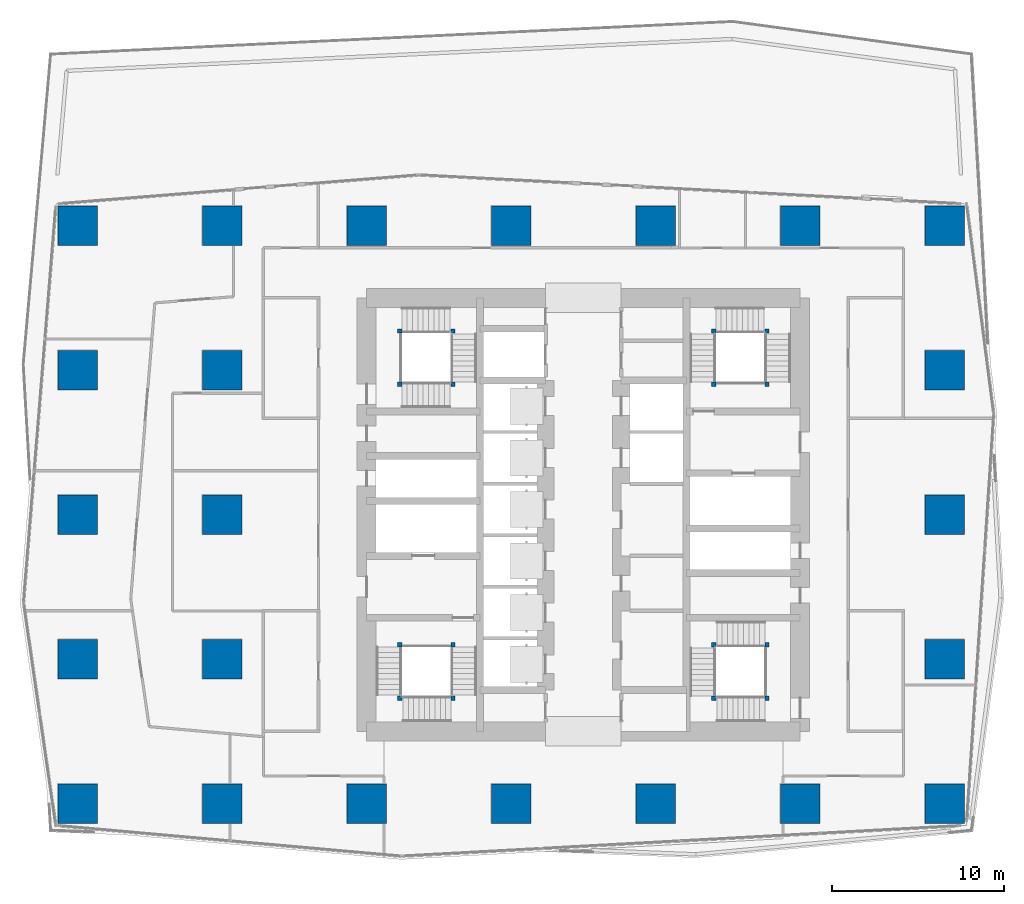
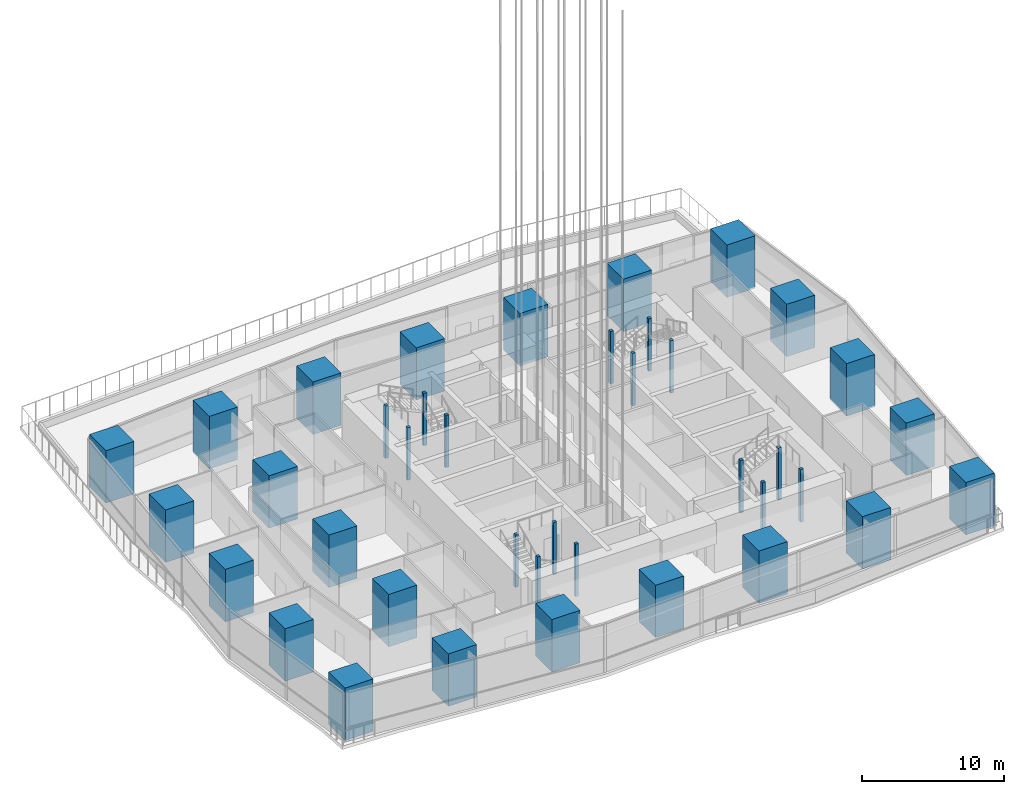
# One storey, part 1 of 39: 39 columns.
"""IFC4 building model written with IfcOpenShell, lengths in metres."""

from ifc_helpers import new_model, si_unit, direction, frame, origin, origin_2d, place, context, subcontext, project, spatial, rectangle, extrude, material, material_profile, profile_set, type_object, element, save


model = new_model("IFC4")

# Units and contexts
model_context = context("Model", 3, precision=1e-05, world=origin(), true_north=direction((0.0, 1.0)))
body_context = subcontext(model_context, "Body", "Model", "MODEL_VIEW")
ifc_project = project(units=[si_unit("LENGTHUNIT", "METRE"), si_unit("AREAUNIT", "SQUARE_METRE"), si_unit("VOLUMEUNIT", "CUBIC_METRE"), si_unit("PLANEANGLEUNIT", "RADIAN"), si_unit("MASSUNIT", "GRAM", prefix="KILO")], contexts=[model_context])

# Site, building, storey
site_placement = place(None, origin())
site = spatial("IfcSite", under=ifc_project, at=site_placement, CompositionType="ELEMENT")
building_placement = place(site_placement, origin())
building = spatial("IfcBuilding", under=site, at=building_placement, Name="Rekha Terrace Tower", CompositionType="ELEMENT")
storey_placement = place(building_placement, frame((0.0, 0.0, 245.60009765625)))
storey = spatial("IfcBuildingStorey", under=building, at=storey_placement, Name="L62", CompositionType="ELEMENT", Elevation=245.60009765625)

# Columns
ifc_material_1 = material(Name="Concrete M70", Category="concrete")
ifc_material_profile_1 = material_profile(ifc_material_1, rectangle(XDim=2.300048828125, YDim=2.300048828125, at=origin_2d()), Name="RC 2300x2300")
ifc_profile_set_1 = profile_set([ifc_material_profile_1], Name="Concrete M70")
column_type_1 = type_object("IfcColumnType", Name="C5T 2300x2300 column", PredefinedType="COLUMN", material=ifc_profile_set_1)
for number, where, z_axis, x_axis, name in (
    (1, (8.39990234375, 16.800048828125, 0.0), (0.0, 0.0, 1.0), (1.0, 0.0, 0.0), "Column C5T 2/C L62"),
    (2, (8.39990234375, 25.199951171875, 0.0), (0.0, 0.0, 1.0), (1.0, 0.0, 0.0), "Column C5T 2/D L62"),
    (3, (8.39990234375, 33.60009765625, 0.0), (0.0, 0.0, 1.0), (1.0, 0.0, 0.0), "Column C5T 2/E L62"),
    (4, (8.39990234375, 42.0, 0.0), (0.0, 0.0, 1.0), (1.0, 0.0, 0.0), "Column C5T 2/F L62"),
    (5, (8.39990234375, 50.39990234375, 0.0), (0.0, 0.0, 1.0), (1.0, 0.0, 0.0), "Column C5T 2/G L62"),
    (6, (16.800048828125, 16.800048828125, 0.0), (0.0, 0.0, 1.0), (1.0, 0.0, 0.0), "Column C5T 3/C L62"),
    (7, (16.800048828125, 25.199951171875, 0.0), (0.0, 0.0, 1.0), (1.0, 0.0, 0.0), "Column C5T 3/D L62"),
    (8, (16.800048828125, 33.60009765625, 0.0), (0.0, 0.0, 1.0), (1.0, 0.0, 0.0), "Column C5T 3/E L62"),
    (9, (16.800048828125, 42.0, 0.0), (0.0, 0.0, 1.0), (1.0, 0.0, 0.0), "Column C5T 3/F L62"),
    (10, (16.800048828125, 50.39990234375, 0.0), (0.0, 0.0, 1.0), (1.0, 0.0, 0.0), "Column C5T 3/G L62"),
    (11, (25.199951171875, 16.800048828125, 0.0), (0.0, 0.0, 1.0), (1.0, 0.0, 0.0), "Column C5T 4/C L62"),
    (12, (25.199951171875, 50.39990234375, 0.0), (0.0, 0.0, 1.0), (1.0, 0.0, 0.0), "Column C5T 4/G L62"),
    (13, (33.60009765625, 16.800048828125, 0.0), (0.0, 0.0, 1.0), (1.0, 0.0, 0.0), "Column C5T 5/C L62"),
    (14, (33.60009765625, 50.39990234375, 0.0), (0.0, 0.0, 1.0), (1.0, 0.0, 0.0), "Column C5T 5/G L62"),
    (15, (42.0, 16.800048828125, 0.0), (0.0, 0.0, 1.0), (1.0, 0.0, 0.0), "Column C5T 6/C L62"),
    (16, (42.0, 50.39990234375, 0.0), (0.0, 0.0, 1.0), (1.0, 0.0, 0.0), "Column C5T 6/G L62"),
    (17, (50.39990234375, 16.800048828125, 0.0), (0.0, 0.0, 1.0), (1.0, 0.0, 0.0), "Column C5T 7/C L62"),
    (18, (50.39990234375, 50.39990234375, 0.0), (0.0, 0.0, 1.0), (1.0, 0.0, 0.0), "Column C5T 7/G L62"),
    (19, (58.800048828125, 16.800048828125, 0.0), (0.0, 0.0, 1.0), (1.0, 0.0, 0.0), "Column C5T 8/C L62"),
    (20, (58.800048828125, 25.199951171875, 0.0), (0.0, 0.0, 1.0), (1.0, 0.0, 0.0), "Column C5T 8/D L62"),
    (21, (58.800048828125, 33.60009765625, 0.0), (0.0, 0.0, 1.0), (1.0, 0.0, 0.0), "Column C5T 8/E L62"),
    (22, (58.800048828125, 42.0, 0.0), (0.0, 0.0, 1.0), (1.0, 0.0, 0.0), "Column C5T 8/F L62"),
    (23, (58.800048828125, 50.39990234375, 0.0), (0.0, 0.0, 1.0), (1.0, 0.0, 0.0), "Column C5T 8/G L62"),
):
    element("IfcColumn", number, at=place(storey_placement, frame(where, z_axis=z_axis, x_axis=x_axis)), inside=storey, type_object=column_type_1, Name=name, PredefinedType="COLUMN", context=body_context, shape_type="SweptSolid", body=[
        extrude(rectangle(XDim=2.300048828125, YDim=2.300048828125, at=origin_2d()), origin(), (0.0, 0.0, 1.0), 4.5),
    ])
ifc_material_2 = material(Name="Concrete M60", Category="concrete")
ifc_material_profile_2 = material_profile(ifc_material_2, rectangle(XDim=0.25, YDim=0.25, at=origin_2d()), Name="RC 250x250")
ifc_profile_set_2 = profile_set([ifc_material_profile_2], Name="Concrete M60")
column_type_2 = type_object("IfcColumnType", Name="NP1 250x250 stair newel post", PredefinedType="COLUMN", material=ifc_profile_set_2)
for number, where, z_axis, x_axis, name in (
    (24, (30.22509765625, 26.02490234375, 0.0), (0.0, 0.0, 1.0), (1.0, 0.0, 0.0), "Stair newel post NP1"),
    (25, (30.22509765625, 22.925048828125, 0.0), (0.0, 0.0, 1.0), (1.0, 0.0, 0.0), "Stair newel post NP1"),
    (26, (27.125, 22.925048828125, 0.0), (0.0, 0.0, 1.0), (1.0, 0.0, 0.0), "Stair newel post NP1"),
    (27, (27.125, 26.02490234375, 0.0), (0.0, 0.0, 1.0), (1.0, 0.0, 0.0), "Stair newel post NP1"),
    (28, (45.375, 41.175048828125, 0.0), (0.0, 0.0, 1.0), (1.0, 0.0, 0.0), "Stair newel post NP1"),
    (29, (45.375, 44.27490234375, 0.0), (0.0, 0.0, 1.0), (1.0, 0.0, 0.0), "Stair newel post NP1"),
    (30, (48.47509765625, 44.27490234375, 0.0), (0.0, 0.0, 1.0), (1.0, 0.0, 0.0), "Stair newel post NP1"),
    (31, (48.47509765625, 41.175048828125, 0.0), (0.0, 0.0, 1.0), (1.0, 0.0, 0.0), "Stair newel post NP1"),
    (32, (48.47509765625, 22.925048828125, 0.0), (0.0, 0.0, 1.0), (1.0, 0.0, 0.0), "Stair newel post NP1"),
    (33, (45.375, 22.925048828125, 0.0), (0.0, 0.0, 1.0), (1.0, 0.0, 0.0), "Stair newel post NP1"),
    (34, (45.375, 26.02490234375, 0.0), (0.0, 0.0, 1.0), (1.0, 0.0, 0.0), "Stair newel post NP1"),
    (35, (48.47509765625, 26.02490234375, 0.0), (0.0, 0.0, 1.0), (1.0, 0.0, 0.0), "Stair newel post NP1"),
    (36, (27.125, 41.175048828125, 0.0), (0.0, 0.0, 1.0), (1.0, 0.0, 0.0), "Stair newel post NP1"),
    (37, (30.22509765625, 41.175048828125, 0.0), (0.0, 0.0, 1.0), (1.0, 0.0, 0.0), "Stair newel post NP1"),
    (38, (30.22509765625, 44.27490234375, 0.0), (0.0, 0.0, 1.0), (1.0, 0.0, 0.0), "Stair newel post NP1"),
    (39, (27.125, 44.27490234375, 0.0), (0.0, 0.0, 1.0), (1.0, 0.0, 0.0), "Stair newel post NP1"),
):
    element("IfcColumn", number, at=place(storey_placement, frame(where, z_axis=z_axis, x_axis=x_axis)), inside=storey, type_object=column_type_2, Name=name, PredefinedType="COLUMN", context=body_context, shape_type="SweptSolid", body=[
        extrude(rectangle(XDim=0.25, YDim=0.25, at=origin_2d()), origin(), (0.0, 0.0, 1.0), 4.5),
    ])

save(model, "model.ifc")
